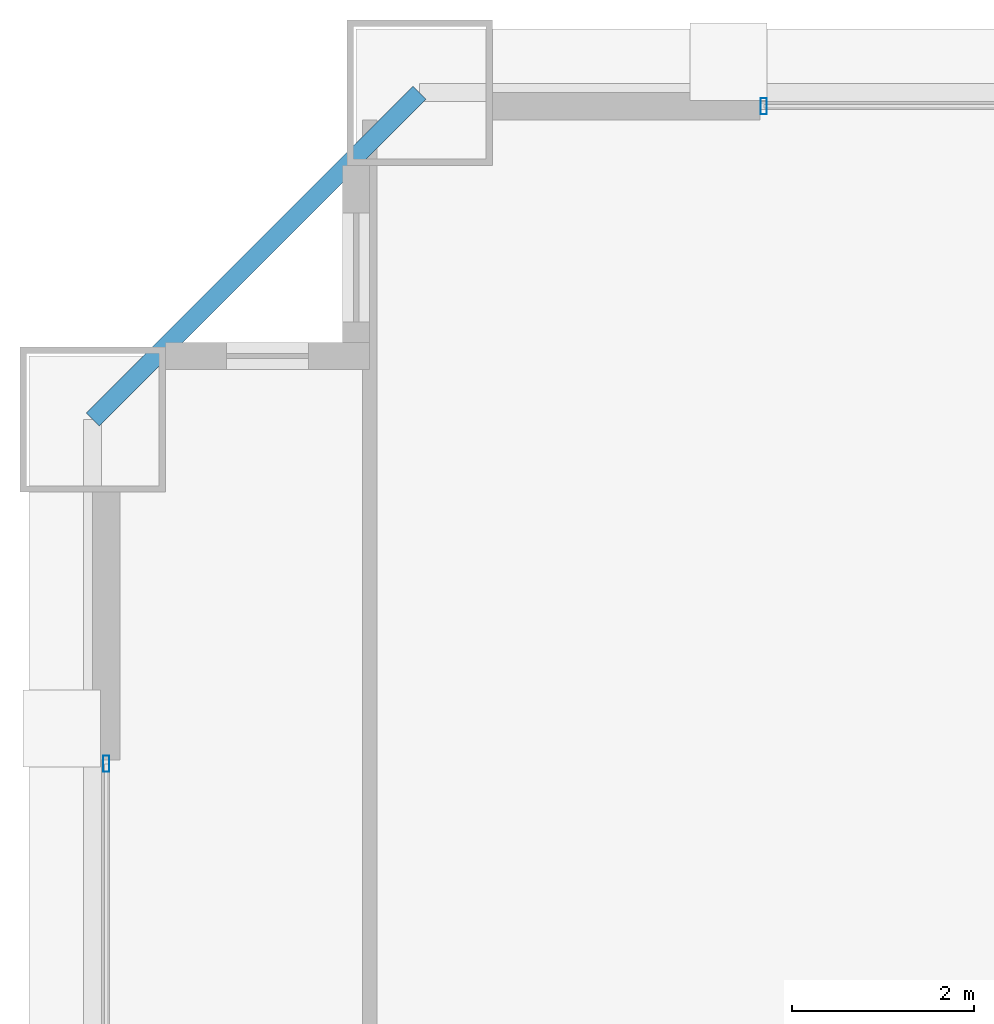
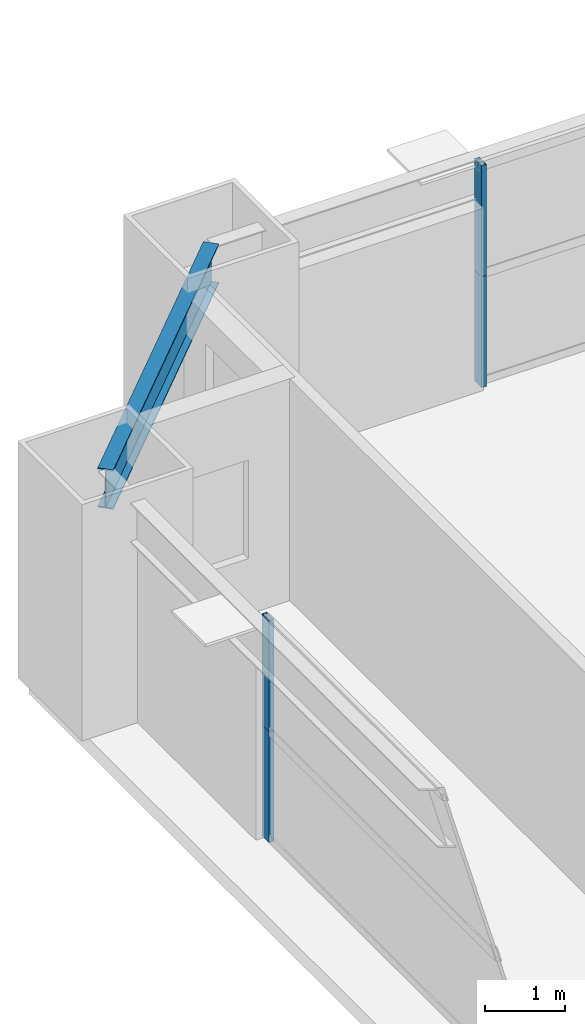
# One storey, part 22 of 37: 4 members, 1 beam, 2 elements without a shape of their own.
"""IFC4 building model written with IfcOpenShell, lengths in metres."""

from ifc_helpers import new_model, si_unit, direction, frame, origin, origin_2d, place, context, subcontext, project, spatial, hollow_rectangle, i_section, extrude, source, transform, mapped, material, layer, layer_set, material_profile, profile_set, type_object, element, aggregate, save


model = new_model("IFC4")

# Units and contexts
model_context = context("Model", 3, precision=1e-05, world=origin(), true_north=direction((0.0, 1.0)))
body_context = subcontext(model_context, "Body", "Model", "MODEL_VIEW")
ifc_project = project(units=[si_unit("LENGTHUNIT", "METRE"), si_unit("AREAUNIT", "SQUARE_METRE"), si_unit("VOLUMEUNIT", "CUBIC_METRE"), si_unit("PLANEANGLEUNIT", "RADIAN"), si_unit("MASSUNIT", "GRAM", prefix="KILO"), si_unit("THERMODYNAMICTEMPERATUREUNIT", "KELVIN"), si_unit("POWERUNIT", "WATT")], contexts=[model_context])

# Site, building, storey
site_placement = place(None, origin())
site = spatial("IfcSite", under=ifc_project, at=site_placement, CompositionType="ELEMENT")
building_placement = place(site_placement, origin())
building = spatial("IfcBuilding", under=site, at=building_placement, Name="Yuzanri Waterfront Tower", CompositionType="ELEMENT")
storey_placement = place(building_placement, frame((0.0, 0.0, 104.60009765625)))
storey = spatial("IfcBuildingStorey", under=building, at=storey_placement, Name="L27", CompositionType="ELEMENT", Elevation=104.60009765625)

# Beam
ifc_material_1 = material(Name="Steel Q355B", Category="steel")
ifc_material_profile_1 = material_profile(ifc_material_1, i_section(OverallWidth=0.199951171875, OverallDepth=0.60009765625, WebThickness=0.010986328125, FlangeThickness=0.01708984375, at=origin_2d()), Name="HN 600x200x11x17")
ifc_profile_set_1 = profile_set([ifc_material_profile_1], Name="Steel Q355B")
beam_type = type_object("IfcBeamType", Name="Perimeter Spandrel Q355B HN 600x200", PredefinedType="SPANDREL", material=ifc_profile_set_1)
shared_shape_1 = source(origin(), body_context, "Body", "SweptSolid", [
    extrude(i_section(OverallWidth=0.199951171875, OverallDepth=0.60009765625, WebThickness=0.010986328125, FlangeThickness=0.01708984375, at=origin_2d()), origin(), (0.0, 0.0, 1.0), 5.091064453125),
])
beam_placement = place(storey_placement, frame((17.0, 49.39990234375, 3.079833984375), z_axis=(-0.707130757816, -0.707082803744, 0.0), x_axis=(0.707082803744, -0.707130757816, 0.0)))
element("IfcBeam", 1, at=beam_placement, inside=storey, type_object=beam_type, Name="L27 Perimeter Spandrel N1-W3", PredefinedType="SPANDREL", context=body_context, shape_type="MappedRepresentation", body=[
    mapped(shared_shape_1, transform((0.0, 0.0, 0.0), scale=1.0)),
])

# Curtain wall, members
ifc_material_2 = material(Name="Anodized Architectural Bronze", Category="metal")
ifc_layer = layer(ifc_material_2, 0.159912109375)
ifc_layer_set = layer_set([ifc_layer], Name="Anodized Architectural Bronze")
curtain_wall_type = type_object("IfcCurtainWallType", Name="Anodized Bronze Hotel Upper-Tier Solar-Control Unitized Curtain Wall 7800", PredefinedType="NOTDEFINED", material=ifc_layer_set)
curtain_wall_1_placement = place(storey_placement, origin())
curtain_wall_1 = element("IfcCurtainWall", 2, at=curtain_wall_1_placement, inside=storey, type_object=curtain_wall_type, Name="L27 Curtain Wall CW-L27-NL", PredefinedType="NOTDEFINED")
ifc_material_3 = material(Name="Anodized Architectural Bronze", Category="metal")
ifc_material_profile_2 = material_profile(ifc_material_3, hollow_rectangle(XDim=0.070068359375, YDim=0.179931640625, WallThickness=0.00390625, at=origin_2d()), Name="CWM 70x180")
ifc_profile_set_2 = profile_set([ifc_material_profile_2], Name="Anodized Architectural Bronze")
member_type = type_object("IfcMemberType", Name="Anodized Bronze Standard Curtain-Wall Mullion 70x180", PredefinedType="MULLION", material=ifc_profile_set_2)
shared_shape_2 = source(origin(), body_context, "Body", "SweptSolid", [
    extrude(hollow_rectangle(XDim=0.070068359375, YDim=0.179931640625, WallThickness=0.00390625, at=origin_2d()), origin(), (0.0, 0.0, 1.0), 1.68798828125),
])
member_1_placement = place(storey_placement, frame((20.7900390625, 49.25, 0.0), z_axis=(0.0, 0.0, 1.0), x_axis=(1.0, 0.0, 0.0)))
member_1 = element("IfcMember", 3, at=member_1_placement, type_object=member_type, Name="CW-L27-NL Lower Mullion 00", PredefinedType="MULLION", context=body_context, shape_type="MappedRepresentation", body=[
    mapped(shared_shape_2, transform((0.0, 0.0, 0.0), scale=1.0)),
])
member_2_placement = place(storey_placement, frame((20.7900390625, 49.25, 1.69189453125), z_axis=(0.0, 0.0, 1.0), x_axis=(1.0, 0.0, 0.0)))
member_2 = element("IfcMember", 4, at=member_2_placement, type_object=member_type, Name="CW-L27-NL Upper Mullion 00", PredefinedType="MULLION", context=body_context, shape_type="MappedRepresentation", body=[
    mapped(shared_shape_2, transform((0.0, 0.0, 0.0), scale=1.0)),
])
aggregate(curtain_wall_1, [member_1, member_2])

curtain_wall_2_placement = place(storey_placement, origin())
curtain_wall_2 = element("IfcCurtainWall", 5, at=curtain_wall_2_placement, inside=storey, type_object=curtain_wall_type, Name="L27 Curtain Wall CW-L27-WR", PredefinedType="NOTDEFINED")
member_3_placement = place(storey_placement, frame((13.550048828125, 42.010009765625, 0.0), z_axis=(0.0, 0.0, 1.0), x_axis=(1.0, 0.0, 0.0)))
member_3 = element("IfcMember", 6, at=member_3_placement, type_object=member_type, Name="CW-L27-WR Lower Mullion 02", PredefinedType="MULLION", context=body_context, shape_type="MappedRepresentation", body=[
    mapped(shared_shape_2, transform((0.0, 0.0, 0.0), scale=1.0)),
])
member_4_placement = place(storey_placement, frame((13.550048828125, 42.010009765625, 1.69189453125), z_axis=(0.0, 0.0, 1.0), x_axis=(1.0, 0.0, 0.0)))
member_4 = element("IfcMember", 7, at=member_4_placement, type_object=member_type, Name="CW-L27-WR Upper Mullion 02", PredefinedType="MULLION", context=body_context, shape_type="MappedRepresentation", body=[
    mapped(shared_shape_2, transform((0.0, 0.0, 0.0), scale=1.0)),
])
aggregate(curtain_wall_2, [member_3, member_4])

save(model, "model.ifc")
